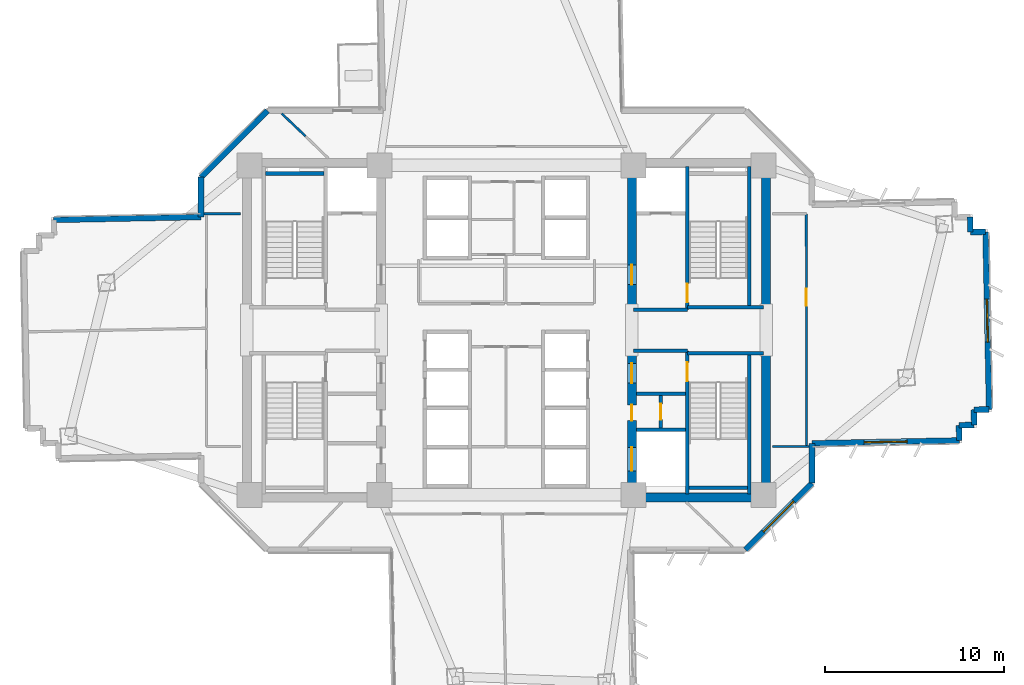
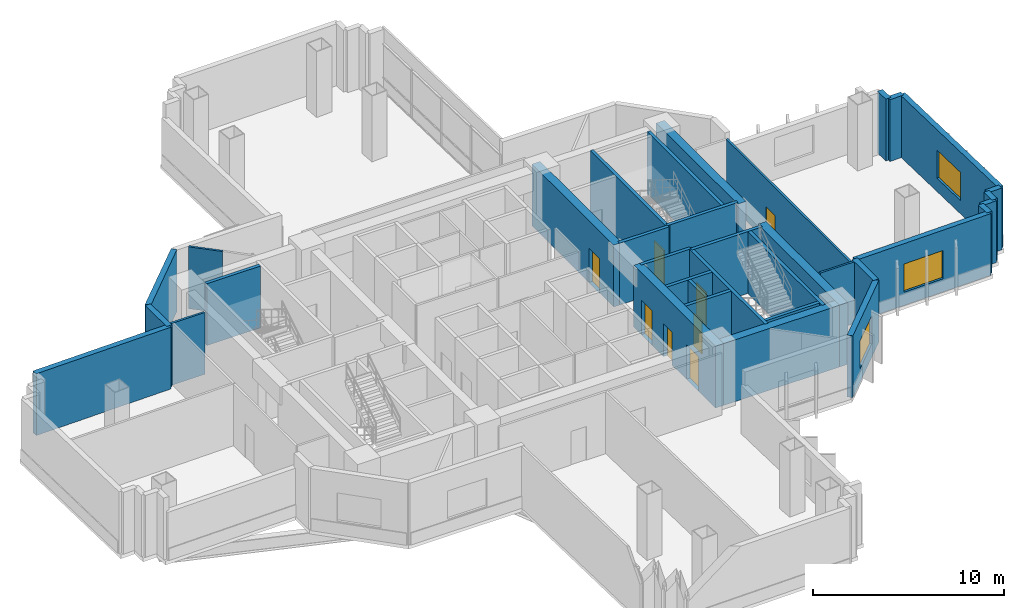
# One storey, part 8 of 15: 35 walls, 8 doors, 3 windows, 11 openings.
"""IFC4 building model written with IfcOpenShell, lengths in metres."""

from ifc_helpers import new_model, si_unit, direction, frame, frame_2d, origin, place, context, subcontext, project, spatial, rectangle, extrude, source, transform, mapped, material, layer, layer_set, type_object, element, fill, save


model = new_model("IFC4")

# Units and contexts
model_context = context("Model", 3, precision=1e-05, world=origin(), true_north=direction((0.0, 1.0)))
body_context = subcontext(model_context, "Body", "Model", "MODEL_VIEW")
ifc_project = project(units=[si_unit("LENGTHUNIT", "METRE"), si_unit("AREAUNIT", "SQUARE_METRE"), si_unit("VOLUMEUNIT", "CUBIC_METRE"), si_unit("PLANEANGLEUNIT", "RADIAN"), si_unit("MASSUNIT", "GRAM", prefix="KILO")], contexts=[model_context])

# Site, building, storey
site_placement = place(None, origin())
site = spatial("IfcSite", under=ifc_project, at=site_placement, CompositionType="ELEMENT")
building_placement = place(site_placement, origin())
building = spatial("IfcBuilding", under=site, at=building_placement, Name="Zahravan Cultural Tower", CompositionType="ELEMENT")
storey_placement = place(building_placement, frame((0.0, 0.0, 41.699951171875)))
storey = spatial("IfcBuildingStorey", under=building, at=storey_placement, Name="L08", CompositionType="ELEMENT", Elevation=41.699951171875)

# Wall, openings, doors
ifc_material_1 = material(Name="Concrete C60/75", Category="concrete")
ifc_layer_1 = layer(ifc_material_1, 0.5)
ifc_layer_set_1 = layer_set([ifc_layer_1], Name="Concrete C60/75")
wall_type_1 = type_object("IfcWallType", Name="CW-SHEAR-500-C60", PredefinedType="SHEAR", material=ifc_layer_set_1)
wall_1_placement = place(storey_placement, frame((43.0, 17.39990234375, 0.0), z_axis=(0.0, 0.0, 1.0), x_axis=(0.0, 1.0, 0.0)))
wall_1 = element("IfcWall", 1, at=wall_1_placement, inside=storey, type_object=wall_type_1, Name="L08 Core Shear Wall CW-E-WS-L08", PredefinedType="SHEAR", context=body_context, shape_type="SweptSolid", body=[
    extrude(rectangle(XDim=8.550048828125, YDim=0.5, at=frame_2d((4.27490234375, 0.0))), origin(), (0.0, 0.0, 1.0), 3.949951171875),
])
opening_1_placement = place(wall_1_placement, frame((6.64990234375, 0.0, 0.0)))
opening_1 = element("IfcOpeningElement", 2, at=opening_1_placement, cuts=wall_1, Name="Opening D-L08-08", PredefinedType="OPENING", context=body_context, shape_type="SweptSolid", body=[
    extrude(rectangle(XDim=1.10009765625, YDim=2.199951171875, at=frame_2d((0.550048828125, 1.10009765625))), frame((0.0, 0.260009765625, 0.0), z_axis=(0.0, -1.0, 0.0), x_axis=(1.0, 0.0, 0.0)), (0.0, 0.0, 1.0), 0.52001953125),
])
opening_2_placement = place(wall_1_placement, frame((1.75, 0.0, 0.0)))
opening_2 = element("IfcOpeningElement", 3, at=opening_2_placement, cuts=wall_1, Name="Opening LD-L08-03", PredefinedType="OPENING", context=body_context, shape_type="SweptSolid", body=[
    extrude(rectangle(XDim=1.300048828125, YDim=2.199951171875, at=frame_2d((0.64990234375, 1.10009765625))), frame((0.0, 0.260009765625, 0.0), z_axis=(0.0, -1.0, 0.0), x_axis=(1.0, 0.0, 0.0)), (0.0, 0.0, 1.0), 0.52001953125),
])
opening_3_placement = place(wall_1_placement, frame((4.550048828125, 0.0, 0.0)))
opening_3 = element("IfcOpeningElement", 4, at=opening_3_placement, cuts=wall_1, Name="Opening D-L08-11", PredefinedType="OPENING", context=body_context, shape_type="SweptSolid", body=[
    extrude(rectangle(XDim=0.8798828125, YDim=2.10009765625, at=frame_2d((0.43994140625, 1.050048828125))), frame((0.0, 0.260009765625, 0.0), z_axis=(0.0, -1.0, 0.0), x_axis=(1.0, 0.0, 0.0)), (0.0, 0.0, 1.0), 0.52001953125),
])
ifc_material_2 = material(Name="Steel ASTM A572 Grade 50", Category="steel")
door_type_1 = type_object("IfcDoorType", Name="DR-LOBBY-1100", OperationType="NOTDEFINED", PredefinedType="DOOR", material=ifc_material_2)
shared_shape_1 = source(origin(), body_context, "Body", "SweptSolid", [
    extrude(rectangle(XDim=1.10009765625, YDim=2.199951171875, at=frame_2d((0.550048828125, 1.10009765625))), frame((0.0, 0.02490234375, 0.0), z_axis=(0.0, -1.0, 0.0), x_axis=(1.0, 0.0, 0.0)), (0.0, 0.0, 1.0), 0.050048828125),
])
door_1_placement = place(opening_1_placement, origin())
door_1 = element("IfcDoor", 5, at=door_1_placement, inside=storey, type_object=door_type_1, Name="L08 Door D-L08-08", OperationType="SINGLE_SWING_LEFT", OverallHeight=2.199951171875, OverallWidth=1.10009765625, PredefinedType="DOOR", context=body_context, shape_type="MappedRepresentation", body=[
    mapped(shared_shape_1, transform((0.0, 0.0, 0.0), x_axis=(1.0, 0.0, 0.0), y_axis=(0.0, 1.0, 0.0), z_axis=(0.0, 0.0, 1.0), scale=1.0)),
])
fill(opening_1, door_1)
door_type_2 = type_object("IfcDoorType", Name="DR-LIFT-1300", OperationType="DOUBLE_DOOR_SLIDING", PredefinedType="DOOR", material=ifc_material_2)
shared_shape_2 = source(origin(), body_context, "Body", "SweptSolid", [
    extrude(rectangle(XDim=1.300048828125, YDim=2.199951171875, at=frame_2d((0.64990234375, 1.10009765625))), frame((0.0, 0.02490234375, 0.0), z_axis=(0.0, -1.0, 0.0), x_axis=(1.0, 0.0, 0.0)), (0.0, 0.0, 1.0), 0.050048828125),
])
door_2_placement = place(opening_2_placement, origin())
door_2 = element("IfcDoor", 6, at=door_2_placement, inside=storey, type_object=door_type_2, Name="L08 Door LD-L08-03", OperationType="DOUBLE_DOOR_SLIDING", OverallHeight=2.199951171875, OverallWidth=1.300048828125, PredefinedType="DOOR", context=body_context, shape_type="MappedRepresentation", body=[
    mapped(shared_shape_2, transform((0.0, 0.0, 0.0), x_axis=(1.0, 0.0, 0.0), y_axis=(0.0, 1.0, 0.0), z_axis=(0.0, 0.0, 1.0), scale=1.0)),
])
fill(opening_2, door_2)
door_type_3 = type_object("IfcDoorType", Name="DR-SVC-880", OperationType="NOTDEFINED", PredefinedType="DOOR", material=ifc_material_2)
shared_shape_3 = source(origin(), body_context, "Body", "SweptSolid", [
    extrude(rectangle(XDim=0.8798828125, YDim=2.10009765625, at=frame_2d((0.43994140625, 1.050048828125))), frame((0.0, 0.02490234375, 0.0), z_axis=(0.0, -1.0, 0.0), x_axis=(1.0, 0.0, 0.0)), (0.0, 0.0, 1.0), 0.050048828125),
])
door_3_placement = place(opening_3_placement, origin())
door_3 = element("IfcDoor", 7, at=door_3_placement, inside=storey, type_object=door_type_3, Name="L08 Door D-L08-11", OperationType="SINGLE_SWING_RIGHT", OverallHeight=2.10009765625, OverallWidth=0.8798828125, PredefinedType="DOOR", context=body_context, shape_type="MappedRepresentation", body=[
    mapped(shared_shape_3, transform((0.0, 0.0, 0.0), x_axis=(1.0, 0.0, 0.0), y_axis=(0.0, 1.0, 0.0), z_axis=(0.0, 0.0, 1.0), scale=1.0)),
])
fill(opening_3, door_3)

# Wall, opening, door
wall_2_placement = place(storey_placement, frame((43.0, 28.050048828125, 0.0), z_axis=(0.0, 0.0, 1.0), x_axis=(0.0, 1.0, 0.0)))
wall_2 = element("IfcWall", 8, at=wall_2_placement, inside=storey, type_object=wall_type_1, Name="L08 Core Shear Wall CW-E-WN-L08", PredefinedType="SHEAR", context=body_context, shape_type="SweptSolid", body=[
    extrude(rectangle(XDim=8.550048828125, YDim=0.5, at=frame_2d((4.27490234375, 0.0))), origin(), (0.0, 0.0, 1.0), 3.949951171875),
])
opening_4_placement = place(wall_2_placement, frame((1.5, 0.0, 0.0)))
opening_4 = element("IfcOpeningElement", 9, at=opening_4_placement, cuts=wall_2, Name="Opening D-L08-06", PredefinedType="OPENING", context=body_context, shape_type="SweptSolid", body=[
    extrude(rectangle(XDim=1.10009765625, YDim=2.199951171875, at=frame_2d((0.550048828125, 1.10009765625))), frame((0.0, 0.260009765625, 0.0), z_axis=(0.0, -1.0, 0.0), x_axis=(1.0, 0.0, 0.0)), (0.0, 0.0, 1.0), 0.52001953125),
])
door_4_placement = place(opening_4_placement, origin())
door_4 = element("IfcDoor", 10, at=door_4_placement, inside=storey, type_object=door_type_1, Name="L08 Door D-L08-06", OperationType="SINGLE_SWING_LEFT", OverallHeight=2.199951171875, OverallWidth=1.10009765625, PredefinedType="DOOR", context=body_context, shape_type="MappedRepresentation", body=[
    mapped(shared_shape_1, transform((0.0, 0.0, 0.0), x_axis=(1.0, 0.0, 0.0), y_axis=(0.0, 1.0, 0.0), z_axis=(0.0, 0.0, 1.0), scale=1.0)),
])
fill(opening_4, door_4)

# Wall, opening, window
ifc_material_3 = material(Name="Precast concrete C40/50", Category="concrete")
ifc_layer_2 = layer(ifc_material_3, 0.320068359375)
ifc_layer_set_2 = layer_set([ifc_layer_2], Name="Precast concrete C40/50")
wall_type_2 = type_object("IfcWallType", Name="EW-TC-320", PredefinedType="SOLIDWALL", material=ifc_layer_set_2)
wall_3_placement = place(storey_placement, frame((62.756103515625, 32.493408203125, 0.0), z_axis=(0.0, 0.0, 1.0), x_axis=(0.019885787333, -0.99980225818, 0.0)))
wall_3 = element("IfcWall", 11, at=wall_3_placement, inside=storey, type_object=wall_type_2, Name="L08 Exterior Masonry Frame Wall 06", PredefinedType="SOLIDWALL", context=body_context, shape_type="SweptSolid", body=[
    extrude(rectangle(XDim=9.919921875, YDim=0.320068359375, at=frame_2d((4.9599609375, 0.0))), origin(), (0.0, 0.0, 1.0), 3.949951171875),
])
opening_5_placement = place(wall_3_placement, frame((3.760009765625, 0.0, 0.85009765625)))
opening_5 = element("IfcOpeningElement", 12, at=opening_5_placement, cuts=wall_3, Name="Opening WN-01", PredefinedType="OPENING", context=body_context, shape_type="SweptSolid", body=[
    extrude(rectangle(XDim=2.39990234375, YDim=1.800048828125, at=frame_2d((1.199951171875, 0.89990234375))), frame((0.0, 0.169921875, 0.0), z_axis=(0.0, -1.0, 0.0), x_axis=(1.0, 0.0, 0.0)), (0.0, 0.0, 1.0), 0.340087890625),
])
ifc_material_4 = material(Name="Low-E solar-control double glazing", Category="glass")
window_type = type_object("IfcWindowType", Name="WN-REC-2400X1800", PartitioningType="DOUBLE_PANEL_VERTICAL", PredefinedType="WINDOW", material=ifc_material_4)
shared_shape_4 = source(origin(), body_context, "Body", "SweptSolid", [
    extrude(rectangle(XDim=2.39990234375, YDim=1.800048828125, at=frame_2d((1.199951171875, 0.89990234375))), frame((0.0, 0.030029296875, 0.0), z_axis=(0.0, -1.0, 0.0), x_axis=(1.0, 0.0, 0.0)), (0.0, 0.0, 1.0), 0.06005859375),
])
window_1_placement = place(opening_5_placement, origin())
window_1 = element("IfcWindow", 13, at=window_1_placement, inside=storey, type_object=window_type, Name="L08 Recessed Solar Window 02", OverallHeight=1.800048828125, OverallWidth=2.39990234375, PartitioningType="DOUBLE_PANEL_VERTICAL", PredefinedType="WINDOW", context=body_context, shape_type="MappedRepresentation", body=[
    mapped(shared_shape_4, transform((0.0, 0.0, 0.0), x_axis=(1.0, 0.0, 0.0), y_axis=(0.0, 1.0, 0.0), z_axis=(0.0, 0.0, 1.0), scale=1.0)),
])
fill(opening_5, window_1)

wall_4_placement = place(storey_placement, frame((61.28759765625, 20.841796875, 0.0), z_axis=(0.0, 0.0, 1.0), x_axis=(-0.999801835372, -0.019907033577, 0.0)))
wall_4 = element("IfcWall", 14, at=wall_4_placement, inside=storey, type_object=wall_type_2, Name="L08 Exterior Masonry Frame Wall 11", PredefinedType="SOLIDWALL", context=body_context, shape_type="SweptSolid", body=[
    extrude(rectangle(XDim=8.229248046875, YDim=0.320068359375, at=frame_2d((4.11474609375, 0.0))), origin(), (0.0, 0.0, 1.0), 3.949951171875),
])
opening_6_placement = place(wall_4_placement, frame((2.9150390625, 0.0, 0.85009765625)))
opening_6 = element("IfcOpeningElement", 15, at=opening_6_placement, cuts=wall_4, Name="Opening WN-01", PredefinedType="OPENING", context=body_context, shape_type="SweptSolid", body=[
    extrude(rectangle(XDim=2.39990234375, YDim=1.800048828125, at=frame_2d((1.199951171875, 0.89990234375))), frame((0.0, 0.169921875, 0.0), z_axis=(0.0, -1.0, 0.0), x_axis=(1.0, 0.0, 0.0)), (0.0, 0.0, 1.0), 0.340087890625),
])
window_2_placement = place(opening_6_placement, origin())
window_2 = element("IfcWindow", 16, at=window_2_placement, inside=storey, type_object=window_type, Name="L08 Recessed Solar Window 03", OverallHeight=1.800048828125, OverallWidth=2.39990234375, PartitioningType="DOUBLE_PANEL_VERTICAL", PredefinedType="WINDOW", context=body_context, shape_type="MappedRepresentation", body=[
    mapped(shared_shape_4, transform((0.0, 0.0, 0.0), x_axis=(1.0, 0.0, 0.0), y_axis=(0.0, 1.0, 0.0), z_axis=(0.0, 0.0, 1.0), scale=1.0)),
])
fill(opening_6, window_2)

wall_5_placement = place(storey_placement, frame((53.06005859375, 18.4580078125, 0.0), z_axis=(0.0, 0.0, 1.0), x_axis=(-0.707106781187, -0.707106781187, 0.0)))
wall_5 = element("IfcWall", 17, at=wall_5_placement, inside=storey, type_object=wall_type_2, Name="L08 Exterior Masonry Frame Wall 13", PredefinedType="SOLIDWALL", context=body_context, shape_type="SweptSolid", body=[
    extrude(rectangle(XDim=5.258056640625, YDim=0.320068359375, at=frame_2d((2.62890625, 0.0))), origin(), (0.0, 0.0, 1.0), 3.949951171875),
])
opening_7_placement = place(wall_5_placement, frame((1.428955078125, 0.0, 0.85009765625)))
opening_7 = element("IfcOpeningElement", 18, at=opening_7_placement, cuts=wall_5, Name="Opening WN-01", PredefinedType="OPENING", context=body_context, shape_type="SweptSolid", body=[
    extrude(rectangle(XDim=2.39990234375, YDim=1.800048828125, at=frame_2d((1.199951171875, 0.89990234375))), frame((0.0, 0.169921875, 0.0), z_axis=(0.0, -1.0, 0.0), x_axis=(1.0, 0.0, 0.0)), (0.0, 0.0, 1.0), 0.340087890625),
])
window_3_placement = place(opening_7_placement, origin())
window_3 = element("IfcWindow", 19, at=window_3_placement, inside=storey, type_object=window_type, Name="L08 Recessed Solar Window 04", OverallHeight=1.800048828125, OverallWidth=2.39990234375, PartitioningType="DOUBLE_PANEL_VERTICAL", PredefinedType="WINDOW", context=body_context, shape_type="MappedRepresentation", body=[
    mapped(shared_shape_4, transform((0.0, 0.0, 0.0), x_axis=(1.0, 0.0, 0.0), y_axis=(0.0, 1.0, 0.0), z_axis=(0.0, 0.0, 1.0), scale=1.0)),
])
fill(opening_7, window_3)

# Wall, opening, door
ifc_material_5 = material(Name="Gypsum plasterboard partition")
ifc_layer_3 = layer(ifc_material_5, 0.179931640625)
ifc_layer_set_3 = layer_set([ifc_layer_3], Name="Gypsum plasterboard partition")
wall_type_3 = type_object("IfcWallType", Name="W-COMP-180", PredefinedType="PARTITIONING", material=ifc_layer_set_3)
wall_6_placement = place(storey_placement, frame((44.6201171875, 21.550048828125, 0.0), z_axis=(0.0, 0.0, 1.0), x_axis=(0.0, 1.0, 0.0)))
wall_6 = element("IfcWall", 20, at=wall_6_placement, inside=storey, type_object=wall_type_3, Name="L08 Interior Wall 027", PredefinedType="PARTITIONING", context=body_context, shape_type="SweptSolid", body=[
    extrude(rectangle(XDim=1.800048828125, YDim=0.179931640625, at=frame_2d((0.89990234375, 0.0))), origin(), (0.0, 0.0, 1.0), 3.949951171875),
])
opening_8_placement = place(wall_6_placement, frame((0.4599609375, 0.0, 0.0)))
opening_8 = element("IfcOpeningElement", 21, at=opening_8_placement, cuts=wall_6, Name="Opening D-L08-12", PredefinedType="OPENING", context=body_context, shape_type="SweptSolid", body=[
    extrude(rectangle(XDim=0.8798828125, YDim=2.10009765625, at=frame_2d((0.43994140625, 1.050048828125))), frame((0.0, 0.099853515625, 0.0), z_axis=(0.0, -1.0, 0.0), x_axis=(1.0, 0.0, 0.0)), (0.0, 0.0, 1.0), 0.199951171875),
])
door_5_placement = place(opening_8_placement, origin())
door_5 = element("IfcDoor", 22, at=door_5_placement, inside=storey, type_object=door_type_3, Name="L08 Door D-L08-12", OperationType="SINGLE_SWING_LEFT", OverallHeight=2.10009765625, OverallWidth=0.8798828125, PredefinedType="DOOR", context=body_context, shape_type="MappedRepresentation", body=[
    mapped(shared_shape_3, transform((0.0, 0.0, 0.0), x_axis=(1.0, 0.0, 0.0), y_axis=(0.0, 1.0, 0.0), z_axis=(0.0, 0.0, 1.0), scale=1.0)),
])
fill(opening_8, door_5)

ifc_layer_4 = layer(ifc_material_5, 0.125)
ifc_layer_set_4 = layer_set([ifc_layer_4], Name="Gypsum plasterboard partition")
wall_type_4 = type_object("IfcWallType", Name="W-PART-125", PredefinedType="PARTITIONING", material=ifc_layer_set_4)
wall_7_placement = place(storey_placement, frame((52.75, 20.5673828125, 0.0), z_axis=(0.0, 0.0, 1.0), x_axis=(-0.000207700001, 0.99999997843, 0.0)))
wall_7 = element("IfcWall", 23, at=wall_7_placement, inside=storey, type_object=wall_type_4, Name="L08 Interior Wall 100", PredefinedType="PARTITIONING", context=body_context, shape_type="SweptSolid", body=[
    extrude(rectangle(XDim=12.929931640625, YDim=0.125, at=frame_2d((6.46484375, 0.0))), origin(), (0.0, 0.0, 1.0), 3.949951171875),
])
opening_9_placement = place(wall_7_placement, frame((7.786865234375, 0.0, 0.0)))
opening_9 = element("IfcOpeningElement", 24, at=opening_9_placement, cuts=wall_7, Name="Opening D-L08-19", PredefinedType="OPENING", context=body_context, shape_type="SweptSolid", body=[
    extrude(rectangle(XDim=0.949951171875, YDim=2.14990234375, at=frame_2d((0.47509765625, 1.074951171875))), frame((0.0, 0.072509765625, 0.0), z_axis=(0.0, -1.0, 0.0), x_axis=(1.0, 0.0, 0.0)), (0.0, 0.0, 1.0), 0.14501953125),
])
ifc_material_6 = material(Name="Anodised bronze-aluminium mullion", Category="aluminium")
door_type_4 = type_object("IfcDoorType", Name="DR-ROOM-950", OperationType="NOTDEFINED", PredefinedType="DOOR", material=ifc_material_6)
shared_shape_5 = source(origin(), body_context, "Body", "SweptSolid", [
    extrude(rectangle(XDim=0.949951171875, YDim=2.14990234375, at=frame_2d((0.47509765625, 1.074951171875))), frame((0.0, 0.02490234375, 0.0), z_axis=(0.0, -1.0, 0.0), x_axis=(1.0, 0.0, 0.0)), (0.0, 0.0, 1.0), 0.050048828125),
])
door_6_placement = place(opening_9_placement, origin())
door_6 = element("IfcDoor", 25, at=door_6_placement, inside=storey, type_object=door_type_4, Name="L08 Door D-L08-19", OperationType="SINGLE_SWING_RIGHT", OverallHeight=2.14990234375, OverallWidth=0.949951171875, PredefinedType="DOOR", context=body_context, shape_type="MappedRepresentation", body=[
    mapped(shared_shape_5, transform((0.0, 0.0, 0.0), x_axis=(1.0, 0.0, 0.0), y_axis=(0.0, 1.0, 0.0), z_axis=(0.0, 0.0, 1.0), scale=1.0)),
])
fill(opening_9, door_6)

ifc_material_7 = material(Name="Concrete C45/55", Category="concrete")
ifc_layer_5 = layer(ifc_material_7, 0.199951171875)
ifc_layer_set_5 = layer_set([ifc_layer_5], Name="Concrete C45/55")
wall_type_5 = type_object("IfcWallType", Name="W-SHAFT-200", PredefinedType="SOLIDWALL", material=ifc_layer_set_5)
wall_8_placement = place(storey_placement, frame((46.10009765625, 17.85009765625, 0.0), z_axis=(0.0, 0.0, 1.0), x_axis=(0.0, 1.0, 0.0)))
wall_8 = element("IfcWall", 26, at=wall_8_placement, inside=storey, type_object=wall_type_5, Name="L08 Interior Wall 007", PredefinedType="SOLIDWALL", context=body_context, shape_type="SweptSolid", body=[
    extrude(rectangle(XDim=8.0, YDim=0.199951171875, at=frame_2d((4.0, 0.0))), origin(), (0.0, 0.0, 1.0), 3.949951171875),
])
opening_10_placement = place(wall_8_placement, frame((6.300048828125, 0.0, 0.0)))
opening_10 = element("IfcOpeningElement", 27, at=opening_10_placement, cuts=wall_8, Name="Opening D-L08-03", PredefinedType="OPENING", context=body_context, shape_type="SweptSolid", body=[
    extrude(rectangle(XDim=1.050048828125, YDim=2.14990234375, at=frame_2d((0.52490234375, 1.074951171875))), frame((0.0, 0.10986328125, 0.0), z_axis=(0.0, -1.0, 0.0), x_axis=(1.0, 0.0, 0.0)), (0.0, 0.0, 1.0), 0.219970703125),
])
door_type_5 = type_object("IfcDoorType", Name="DR-STAIR-1050", OperationType="NOTDEFINED", PredefinedType="DOOR", material=ifc_material_2)
shared_shape_6 = source(origin(), body_context, "Body", "SweptSolid", [
    extrude(rectangle(XDim=1.050048828125, YDim=2.14990234375, at=frame_2d((0.52490234375, 1.074951171875))), frame((0.0, 0.02490234375, 0.0), z_axis=(0.0, -1.0, 0.0), x_axis=(1.0, 0.0, 0.0)), (0.0, 0.0, 1.0), 0.050048828125),
])
door_7_placement = place(opening_10_placement, origin())
door_7 = element("IfcDoor", 28, at=door_7_placement, inside=storey, type_object=door_type_5, Name="L08 Door D-L08-03", OperationType="SINGLE_SWING_RIGHT", OverallHeight=2.14990234375, OverallWidth=1.050048828125, PredefinedType="DOOR", context=body_context, shape_type="MappedRepresentation", body=[
    mapped(shared_shape_6, transform((0.0, 0.0, 0.0), x_axis=(1.0, 0.0, 0.0), y_axis=(0.0, 1.0, 0.0), z_axis=(0.0, 0.0, 1.0), scale=1.0)),
])
fill(opening_10, door_7)

wall_9_placement = place(storey_placement, frame((46.10009765625, 28.14990234375, 0.0), z_axis=(0.0, 0.0, 1.0), x_axis=(0.0, 1.0, 0.0)))
wall_9 = element("IfcWall", 29, at=wall_9_placement, inside=storey, type_object=wall_type_5, Name="L08 Interior Wall 008", PredefinedType="SOLIDWALL", context=body_context, shape_type="SweptSolid", body=[
    extrude(rectangle(XDim=8.0, YDim=0.199951171875, at=frame_2d((4.0, 0.0))), origin(), (0.0, 0.0, 1.0), 3.949951171875),
])
opening_11_placement = place(wall_9_placement, frame((0.39990234375, 0.0, 0.0)))
opening_11 = element("IfcOpeningElement", 30, at=opening_11_placement, cuts=wall_9, Name="Opening D-L08-02", PredefinedType="OPENING", context=body_context, shape_type="SweptSolid", body=[
    extrude(rectangle(XDim=1.050048828125, YDim=2.14990234375, at=frame_2d((0.52490234375, 1.074951171875))), frame((0.0, 0.10986328125, 0.0), z_axis=(0.0, -1.0, 0.0), x_axis=(1.0, 0.0, 0.0)), (0.0, 0.0, 1.0), 0.219970703125),
])
door_8_placement = place(opening_11_placement, origin())
door_8 = element("IfcDoor", 31, at=door_8_placement, inside=storey, type_object=door_type_5, Name="L08 Door D-L08-02", OperationType="SINGLE_SWING_LEFT", OverallHeight=2.14990234375, OverallWidth=1.050048828125, PredefinedType="DOOR", context=body_context, shape_type="MappedRepresentation", body=[
    mapped(shared_shape_6, transform((0.0, 0.0, 0.0), x_axis=(1.0, 0.0, 0.0), y_axis=(0.0, 1.0, 0.0), z_axis=(0.0, 0.0, 1.0), scale=1.0)),
])
fill(opening_11, door_8)

# Walls
shared_shape_7 = source(origin(), body_context, "Body", "SweptSolid", [
    extrude(rectangle(XDim=8.550048828125, YDim=0.5, at=frame_2d((4.27490234375, 0.0))), origin(), (0.0, 0.0, 1.0), 3.949951171875),
])
for number, where, z_axis, x_axis, name in (
    (32, (50.5, 17.39990234375, 0.0), (0.0, 0.0, 1.0), (0.0, 1.0, 0.0), "L08 Core Shear Wall CW-E-ES-L08"),
    (33, (50.5, 28.050048828125, 0.0), (0.0, 0.0, 1.0), (0.0, 1.0, 0.0), "L08 Core Shear Wall CW-E-EN-L08"),
):
    element("IfcWall", number, at=place(storey_placement, frame(where, z_axis=z_axis, x_axis=x_axis)), inside=storey, type_object=wall_type_1, Name=name, PredefinedType="SHEAR", context=body_context, shape_type="MappedRepresentation", body=[
        mapped(shared_shape_7, transform((0.0, 0.0, 0.0), x_axis=(1.0, 0.0, 0.0), y_axis=(0.0, 1.0, 0.0), z_axis=(0.0, 0.0, 1.0), scale=1.0)),
    ])
shared_shape_8 = source(origin(), body_context, "Body", "SweptSolid", [
    extrude(rectangle(XDim=7.0, YDim=0.5, at=frame_2d((3.5, 0.0))), origin(), (0.0, 0.0, 1.0), 3.949951171875),
])
wall_10_placement = place(storey_placement, frame((43.25, 17.64990234375, 0.0), z_axis=(0.0, 0.0, 1.0), x_axis=(1.0, 0.0, 0.0)))
element("IfcWall", 34, at=wall_10_placement, inside=storey, type_object=wall_type_1, Name="L08 Core Shear Wall CW-E-S-L08", PredefinedType="SHEAR", context=body_context, shape_type="MappedRepresentation", body=[
    mapped(shared_shape_8, transform((0.0, 0.0, 0.0), x_axis=(1.0, 0.0, 0.0), y_axis=(0.0, 1.0, 0.0), z_axis=(0.0, 0.0, 1.0), scale=1.0)),
])
shared_shape_9 = source(origin(), body_context, "Body", "SweptSolid", [
    extrude(rectangle(XDim=0.85009765625, YDim=0.320068359375, at=frame_2d((0.425048828125, 0.0))), origin(), (0.0, 0.0, 1.0), 3.949951171875),
])
for number, where, z_axis, x_axis, name in (
    (35, (61.88916015625, 33.326416015625, 0.0), (0.0, 0.0, 1.0), (0.020105099409, -0.999797872061, 0.0), "L08 Exterior Masonry Frame Wall 04"),
    (36, (61.90625, 32.4765625, 0.0), (0.0, 0.0, 1.0), (0.999803604205, 0.019817997326, 0.0), "L08 Exterior Masonry Frame Wall 05"),
    (37, (62.953369140625, 22.575439453125, 0.0), (0.0, 0.0, 1.0), (-0.999803604205, -0.019817997326, 0.0), "L08 Exterior Masonry Frame Wall 07"),
    (38, (62.120361328125, 21.70849609375, 0.0), (0.0, 0.0, 1.0), (-0.999803604205, -0.019817997326, 0.0), "L08 Exterior Masonry Frame Wall 09"),
    (39, (61.2705078125, 21.691650390625, 0.0), (0.0, 0.0, 1.0), (0.020105099409, -0.999797872061, 0.0), "L08 Exterior Masonry Frame Wall 10"),
):
    element("IfcWall", number, at=place(storey_placement, frame(where, z_axis=z_axis, x_axis=x_axis)), inside=storey, type_object=wall_type_2, Name=name, PredefinedType="SOLIDWALL", context=body_context, shape_type="MappedRepresentation", body=[
        mapped(shared_shape_9, transform((0.0, 0.0, 0.0), x_axis=(1.0, 0.0, 0.0), y_axis=(0.0, 1.0, 0.0), z_axis=(0.0, 0.0, 1.0), scale=1.0)),
    ])
shared_shape_10 = source(origin(), body_context, "Body", "SweptSolid", [
    extrude(rectangle(XDim=5.258056640625, YDim=0.320068359375, at=frame_2d((2.62890625, 0.0))), origin(), (0.0, 0.0, 1.0), 3.949951171875),
])
wall_11_placement = place(storey_placement, frame((18.93994140625, 35.5419921875, 0.0), z_axis=(0.0, 0.0, 1.0), x_axis=(0.707106781187, 0.707106781187, 0.0)))
element("IfcWall", 40, at=wall_11_placement, inside=storey, type_object=wall_type_2, Name="L08 Exterior Masonry Frame Wall 40", PredefinedType="SOLIDWALL", context=body_context, shape_type="MappedRepresentation", body=[
    mapped(shared_shape_10, transform((0.0, 0.0, 0.0), x_axis=(1.0, 0.0, 0.0), y_axis=(0.0, 1.0, 0.0), z_axis=(0.0, 0.0, 1.0), scale=1.0)),
])
shared_shape_11 = source(origin(), body_context, "Body", "SweptSolid", [
    extrude(rectangle(XDim=0.850341796875, YDim=0.320068359375, at=frame_2d((0.42529296875, 0.0))), origin(), (0.0, 0.0, 1.0), 3.949951171875),
])
wall_12_placement = place(storey_placement, frame((62.103515625, 22.55859375, 0.0), z_axis=(0.0, 0.0, 1.0), x_axis=(0.019812308004, -0.999803716962, 0.0)))
element("IfcWall", 41, at=wall_12_placement, inside=storey, type_object=wall_type_2, Name="L08 Exterior Masonry Frame Wall 08", PredefinedType="SOLIDWALL", context=body_context, shape_type="MappedRepresentation", body=[
    mapped(shared_shape_11, transform((0.0, 0.0, 0.0), x_axis=(1.0, 0.0, 0.0), y_axis=(0.0, 1.0, 0.0), z_axis=(0.0, 0.0, 1.0), scale=1.0)),
])
shared_shape_12 = source(origin(), body_context, "Body", "SweptSolid", [
    extrude(rectangle(XDim=2.219970703125, YDim=0.320068359375, at=frame_2d((1.10986328125, 0.0))), origin(), (0.0, 0.0, 1.0), 3.949951171875),
])
for number, where, z_axis, x_axis, name in (
    (42, (53.06005859375, 20.677978515625, 0.0), (0.0, 0.0, 1.0), (0.0, -1.0, 0.0), "L08 Exterior Masonry Frame Wall 12"),
    (43, (18.93994140625, 33.322021484375, 0.0), (0.0, 0.0, 1.0), (0.0, 1.0, 0.0), "L08 Exterior Masonry Frame Wall 39"),
):
    element("IfcWall", number, at=place(storey_placement, frame(where, z_axis=z_axis, x_axis=x_axis)), inside=storey, type_object=wall_type_2, Name=name, PredefinedType="SOLIDWALL", context=body_context, shape_type="MappedRepresentation", body=[
        mapped(shared_shape_12, transform((0.0, 0.0, 0.0), x_axis=(1.0, 0.0, 0.0), y_axis=(0.0, 1.0, 0.0), z_axis=(0.0, 0.0, 1.0), scale=1.0)),
    ])
shared_shape_13 = source(origin(), body_context, "Body", "SweptSolid", [
    extrude(rectangle(XDim=8.229248046875, YDim=0.320068359375, at=frame_2d((4.11474609375, 0.0))), origin(), (0.0, 0.0, 1.0), 3.949951171875),
])
wall_13_placement = place(storey_placement, frame((10.71240234375, 33.158203125, 0.0), z_axis=(0.0, 0.0, 1.0), x_axis=(0.999801835372, 0.019907033577, 0.0)))
element("IfcWall", 44, at=wall_13_placement, inside=storey, type_object=wall_type_2, Name="L08 Exterior Masonry Frame Wall 38", PredefinedType="SOLIDWALL", context=body_context, shape_type="MappedRepresentation", body=[
    mapped(shared_shape_13, transform((0.0, 0.0, 0.0), x_axis=(1.0, 0.0, 0.0), y_axis=(0.0, 1.0, 0.0), z_axis=(0.0, 0.0, 1.0), scale=1.0)),
])
shared_shape_14 = source(origin(), body_context, "Body", "SweptSolid", [
    extrude(rectangle(XDim=7.869873046875, YDim=0.199951171875, at=frame_2d((3.93505859375, 0.0))), origin(), (0.0, 0.0, 1.0), 3.949951171875),
])
for number, where, z_axis, x_axis, name in (
    (45, (49.550048828125, 17.85009765625, 0.0), (0.0, 0.0, 1.0), (0.0, 1.0, 0.0), "L08 Interior Wall 003"),
    (46, (49.550048828125, 28.280029296875, 0.0), (0.0, 0.0, 1.0), (0.0, 1.0, 0.0), "L08 Interior Wall 004"),
):
    element("IfcWall", number, at=place(storey_placement, frame(where, z_axis=z_axis, x_axis=x_axis)), inside=storey, type_object=wall_type_5, Name=name, PredefinedType="SOLIDWALL", context=body_context, shape_type="MappedRepresentation", body=[
        mapped(shared_shape_14, transform((0.0, 0.0, 0.0), x_axis=(1.0, 0.0, 0.0), y_axis=(0.0, 1.0, 0.0), z_axis=(0.0, 0.0, 1.0), scale=1.0)),
    ])
shared_shape_15 = source(origin(), body_context, "Body", "SweptSolid", [
    extrude(rectangle(XDim=4.25, YDim=0.199951171875, at=frame_2d((2.125, 0.0))), origin(), (0.0, 0.0, 1.0), 3.949951171875),
])
for number, where, z_axis, x_axis, name in (
    (47, (46.10009765625, 25.715087890625, 0.0), (0.0, 0.0, 1.0), (1.0, 0.0, 0.0), "L08 Interior Wall 014"),
    (48, (46.10009765625, 28.284912109375, 0.0), (0.0, 0.0, 1.0), (1.0, 0.0, 0.0), "L08 Interior Wall 016"),
):
    element("IfcWall", number, at=place(storey_placement, frame(where, z_axis=z_axis, x_axis=x_axis)), inside=storey, type_object=wall_type_5, Name=name, PredefinedType="SOLIDWALL", context=body_context, shape_type="MappedRepresentation", body=[
        mapped(shared_shape_15, transform((0.0, 0.0, 0.0), x_axis=(1.0, 0.0, 0.0), y_axis=(0.0, 1.0, 0.0), z_axis=(0.0, 0.0, 1.0), scale=1.0)),
    ])
shared_shape_16 = source(origin(), body_context, "Body", "SweptSolid", [
    extrude(rectangle(XDim=3.0, YDim=0.199951171875, at=frame_2d((1.5, 0.0))), origin(), (0.0, 0.0, 1.0), 3.949951171875),
])
for number, where, z_axis, x_axis, name in (
    (49, (43.10009765625, 25.85009765625, 0.0), (0.0, 0.0, 1.0), (1.0, 0.0, 0.0), "L08 Interior Wall 013"),
    (50, (43.10009765625, 28.14990234375, 0.0), (0.0, 0.0, 1.0), (1.0, 0.0, 0.0), "L08 Interior Wall 015"),
):
    element("IfcWall", number, at=place(storey_placement, frame(where, z_axis=z_axis, x_axis=x_axis)), inside=storey, type_object=wall_type_5, Name=name, PredefinedType="SOLIDWALL", context=body_context, shape_type="MappedRepresentation", body=[
        mapped(shared_shape_16, transform((0.0, 0.0, 0.0), x_axis=(1.0, 0.0, 0.0), y_axis=(0.0, 1.0, 0.0), z_axis=(0.0, 0.0, 1.0), scale=1.0)),
    ])
shared_shape_17 = source(origin(), body_context, "Body", "SweptSolid", [
    extrude(rectangle(XDim=3.25, YDim=0.199951171875, at=frame_2d((1.625, 0.0))), origin(), (0.0, 0.0, 1.0), 3.949951171875),
])
for number, where, z_axis, x_axis, name in (
    (51, (22.550048828125, 35.75, 0.0), (0.0, 0.0, 1.0), (1.0, 0.0, 0.0), "L08 Interior Wall 017"),
    (52, (46.199951171875, 18.199951171875, 0.0), (0.0, 0.0, 1.0), (1.0, 0.0, 0.0), "L08 Interior Wall 020"),
):
    element("IfcWall", number, at=place(storey_placement, frame(where, z_axis=z_axis, x_axis=x_axis)), inside=storey, type_object=wall_type_5, Name=name, PredefinedType="SOLIDWALL", context=body_context, shape_type="MappedRepresentation", body=[
        mapped(shared_shape_17, transform((0.0, 0.0, 0.0), x_axis=(1.0, 0.0, 0.0), y_axis=(0.0, 1.0, 0.0), z_axis=(0.0, 0.0, 1.0), scale=1.0)),
    ])
shared_shape_18 = source(origin(), body_context, "Body", "SweptSolid", [
    extrude(rectangle(XDim=2.75, YDim=0.199951171875, at=frame_2d((1.375, 0.0))), origin(), (0.0, 0.0, 1.0), 3.949951171875),
])
for number, where, z_axis, x_axis, name in (
    (53, (43.25, 23.449951171875, 0.0), (0.0, 0.0, 1.0), (1.0, 0.0, 0.0), "L08 Interior Wall 024"),
    (54, (43.25, 21.449951171875, 0.0), (0.0, 0.0, 1.0), (1.0, 0.0, 0.0), "L08 Interior Wall 025"),
):
    element("IfcWall", number, at=place(storey_placement, frame(where, z_axis=z_axis, x_axis=x_axis)), inside=storey, type_object=wall_type_5, Name=name, PredefinedType="SOLIDWALL", context=body_context, shape_type="MappedRepresentation", body=[
        mapped(shared_shape_18, transform((0.0, 0.0, 0.0), x_axis=(1.0, 0.0, 0.0), y_axis=(0.0, 1.0, 0.0), z_axis=(0.0, 0.0, 1.0), scale=1.0)),
    ])
shared_shape_19 = source(origin(), body_context, "Body", "SweptSolid", [
    extrude(rectangle(XDim=1.82275390625, YDim=0.125, at=frame_2d((0.911376953125, 0.0))), origin(), (0.0, 0.0, 1.0), 3.949951171875),
])
wall_14_placement = place(storey_placement, frame((23.451904296875, 39.094970703125, 0.0), z_axis=(0.0, 0.0, 1.0), x_axis=(0.724303533388, -0.689481248129, 0.0)))
element("IfcWall", 55, at=wall_14_placement, inside=storey, type_object=wall_type_4, Name="L08 Interior Wall 087", PredefinedType="PARTITIONING", context=body_context, shape_type="MappedRepresentation", body=[
    mapped(shared_shape_19, transform((0.0, 0.0, 0.0), x_axis=(1.0, 0.0, 0.0), y_axis=(0.0, 1.0, 0.0), z_axis=(0.0, 0.0, 1.0), scale=1.0)),
])
shared_shape_20 = source(origin(), body_context, "Body", "SweptSolid", [
    extrude(rectangle(XDim=2.04931640625, YDim=0.125, at=frame_2d((1.024658203125, 0.0))), origin(), (0.0, 0.0, 1.0), 3.949951171875),
])
for number, where, z_axis, x_axis, name in (
    (56, (21.1494140625, 33.49658203125, 0.0), (0.0, 0.0, 1.0), (-0.999999992904, -0.000119132713, 0.0), "L08 Interior Wall 089"),
    (57, (50.8505859375, 20.50341796875, 0.0), (0.0, 0.0, 1.0), (0.999998403336, -0.001786987854, 0.0), "L08 Interior Wall 099"),
):
    element("IfcWall", number, at=place(storey_placement, frame(where, z_axis=z_axis, x_axis=x_axis)), inside=storey, type_object=wall_type_4, Name=name, PredefinedType="PARTITIONING", context=body_context, shape_type="MappedRepresentation", body=[
        mapped(shared_shape_20, transform((0.0, 0.0, 0.0), x_axis=(1.0, 0.0, 0.0), y_axis=(0.0, 1.0, 0.0), z_axis=(0.0, 0.0, 1.0), scale=1.0)),
    ])

save(model, "model.ifc")
